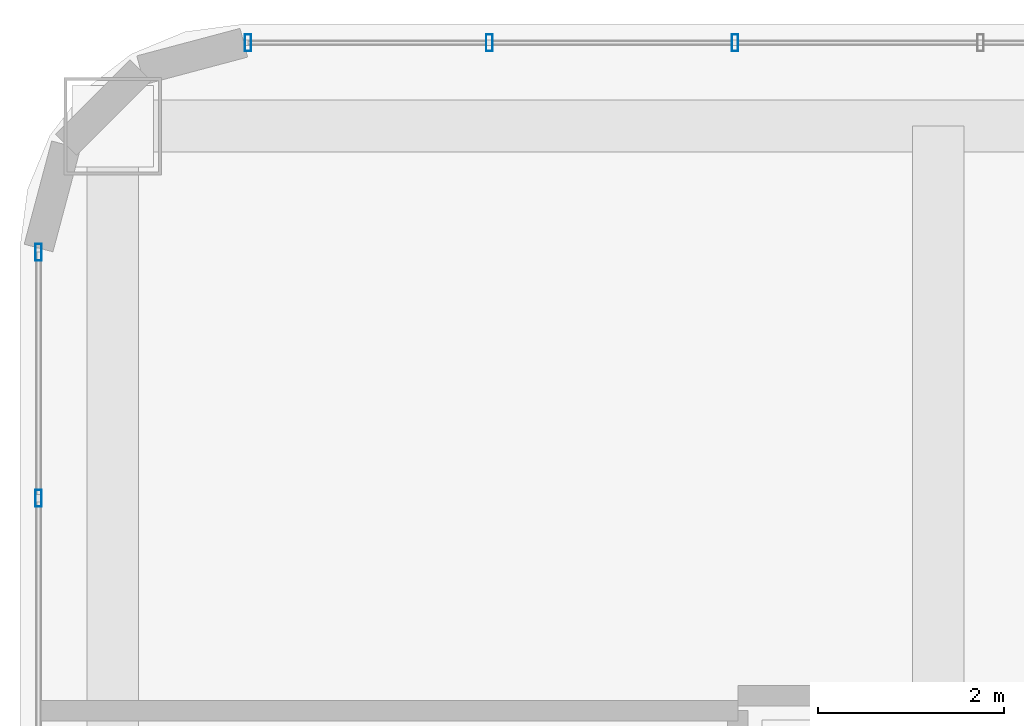
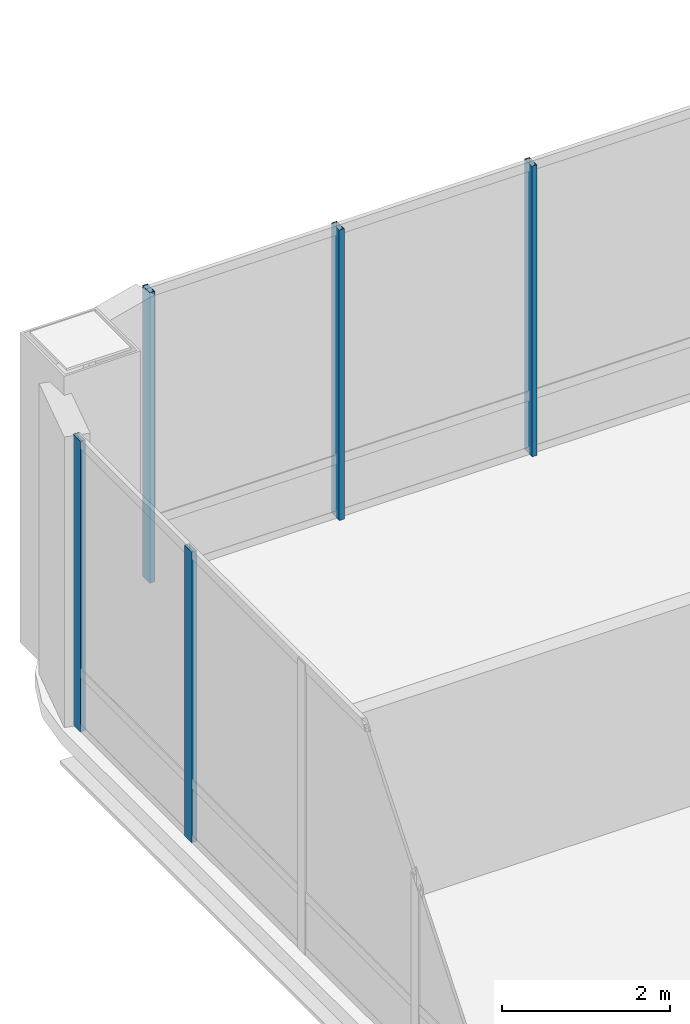
# One storey, part 20 of 33: 5 members, 2 elements without a shape of their own.
"""IFC4 building model written with IfcOpenShell, lengths in metres."""

from ifc_helpers import new_model, si_unit, direction, frame, origin, origin_2d, place, context, subcontext, project, spatial, hollow_rectangle, extrude, material, material_profile, profile_set, type_object, element, aggregate, save


model = new_model("IFC4")

# Units and contexts
model_context = context("Model", 3, precision=1e-05, world=origin(), true_north=direction((0.0, 1.0)))
body_context = subcontext(model_context, "Body", "Model", "MODEL_VIEW")
ifc_project = project(units=[si_unit("LENGTHUNIT", "METRE"), si_unit("AREAUNIT", "SQUARE_METRE"), si_unit("VOLUMEUNIT", "CUBIC_METRE"), si_unit("PLANEANGLEUNIT", "RADIAN"), si_unit("MASSUNIT", "GRAM", prefix="KILO")], contexts=[model_context])

# Site, building, storey
site_placement = place(None, origin())
site = spatial("IfcSite", under=ifc_project, at=site_placement, CompositionType="ELEMENT")
building_placement = place(site_placement, origin())
building = spatial("IfcBuilding", under=site, at=building_placement, Name="Punatoya Terracotta Tower", CompositionType="ELEMENT")
storey_placement = place(building_placement, frame((0.0, 0.0, 348.300048828125)))
storey = spatial("IfcBuildingStorey", under=building, at=storey_placement, Name="L82", CompositionType="ELEMENT", Elevation=348.300048828125)

# Curtain wall, members
ifc_material_1 = material(Name="Aluminium 6063-T6 + Double Low-E Glass", Category="aluminium")
curtain_wall_type = type_object("IfcCurtainWallType", Name="CW-CRN", PredefinedType="NOTDEFINED", material=ifc_material_1)
curtain_wall_1_placement = place(storey_placement, origin())
curtain_wall_1 = element("IfcCurtainWall", 1, at=curtain_wall_1_placement, inside=storey, type_object=curtain_wall_type, Name="L82 Curtain Wall CW-L82-N09-2", PredefinedType="NOTDEFINED")
ifc_material_2 = material(Name="Aluminium 6063-T6", Category="aluminium")
ifc_material_profile = material_profile(ifc_material_2, hollow_rectangle(XDim=0.070068359375, YDim=0.179931640625, WallThickness=0.00390625, at=origin_2d()))
ifc_profile_set = profile_set([ifc_material_profile], Name="Aluminium 6063-T6")
member_type = type_object("IfcMemberType", Name="CW-MUL-M3", PredefinedType="MULLION", material=ifc_profile_set)
member_1_placement = place(storey_placement, frame((-12.39208984375, 18.39990234375, 0.0), z_axis=(0.0, 0.0, 1.0), x_axis=(1.0, 0.0, 0.0)))
member_1 = element("IfcMember", 2, at=member_1_placement, type_object=member_type, Name="CW-L82-N09-2 Mullion 03", PredefinedType="MULLION", context=body_context, shape_type="SweptSolid", body=[
    extrude(hollow_rectangle(XDim=0.070068359375, YDim=0.179931640625, WallThickness=0.00390625, at=origin_2d()), origin(), (0.0, 0.0, 1.0), 4.219970703125),
])
member_2_placement = place(storey_placement, frame((-15.03955078125, 18.39990234375, 0.0), z_axis=(0.0, 0.0, 1.0), x_axis=(1.0, 0.0, 0.0)))
member_2 = element("IfcMember", 3, at=member_2_placement, type_object=member_type, Name="CW-L82-N09-2 Mullion 04", PredefinedType="MULLION", context=body_context, shape_type="SweptSolid", body=[
    extrude(hollow_rectangle(XDim=0.070068359375, YDim=0.179931640625, WallThickness=0.00390625, at=origin_2d()), origin(), (0.0, 0.0, 1.0), 4.219970703125),
])
member_3_placement = place(storey_placement, frame((-17.641845703125, 18.39990234375, 0.0), z_axis=(0.0, 0.0, 1.0), x_axis=(1.0, 0.0, 0.0)))
member_3 = element("IfcMember", 4, at=member_3_placement, type_object=member_type, Name="CW-L82-N09-2 Mullion 05", PredefinedType="MULLION", context=body_context, shape_type="SweptSolid", body=[
    extrude(hollow_rectangle(XDim=0.070068359375, YDim=0.179931640625, WallThickness=0.00390625, at=origin_2d()), origin(), (0.0, 0.0, 1.0), 4.219970703125),
])
aggregate(curtain_wall_1, [member_1, member_2, member_3])

curtain_wall_2_placement = place(storey_placement, origin())
curtain_wall_2 = element("IfcCurtainWall", 5, at=curtain_wall_2_placement, inside=storey, type_object=curtain_wall_type, Name="L82 Curtain Wall CW-L82-W13-1", PredefinedType="NOTDEFINED")
member_4_placement = place(storey_placement, frame((-19.89990234375, 16.141845703125, 0.0), z_axis=(0.0, 0.0, 1.0), x_axis=(1.0, 0.0, 0.0)))
member_4 = element("IfcMember", 6, at=member_4_placement, type_object=member_type, Name="CW-L82-W13-1 Mullion 00", PredefinedType="MULLION", context=body_context, shape_type="SweptSolid", body=[
    extrude(hollow_rectangle(XDim=0.070068359375, YDim=0.179931640625, WallThickness=0.00390625, at=origin_2d()), origin(), (0.0, 0.0, 1.0), 4.219970703125),
])
member_5_placement = place(storey_placement, frame((-19.89990234375, 13.489013671875, 0.0), z_axis=(0.0, 0.0, 1.0), x_axis=(1.0, 0.0, 0.0)))
member_5 = element("IfcMember", 7, at=member_5_placement, type_object=member_type, Name="CW-L82-W13-1 Mullion 01", PredefinedType="MULLION", context=body_context, shape_type="SweptSolid", body=[
    extrude(hollow_rectangle(XDim=0.070068359375, YDim=0.179931640625, WallThickness=0.00390625, at=origin_2d()), origin(), (0.0, 0.0, 1.0), 4.219970703125),
])
aggregate(curtain_wall_2, [member_4, member_5])

save(model, "model.ifc")
